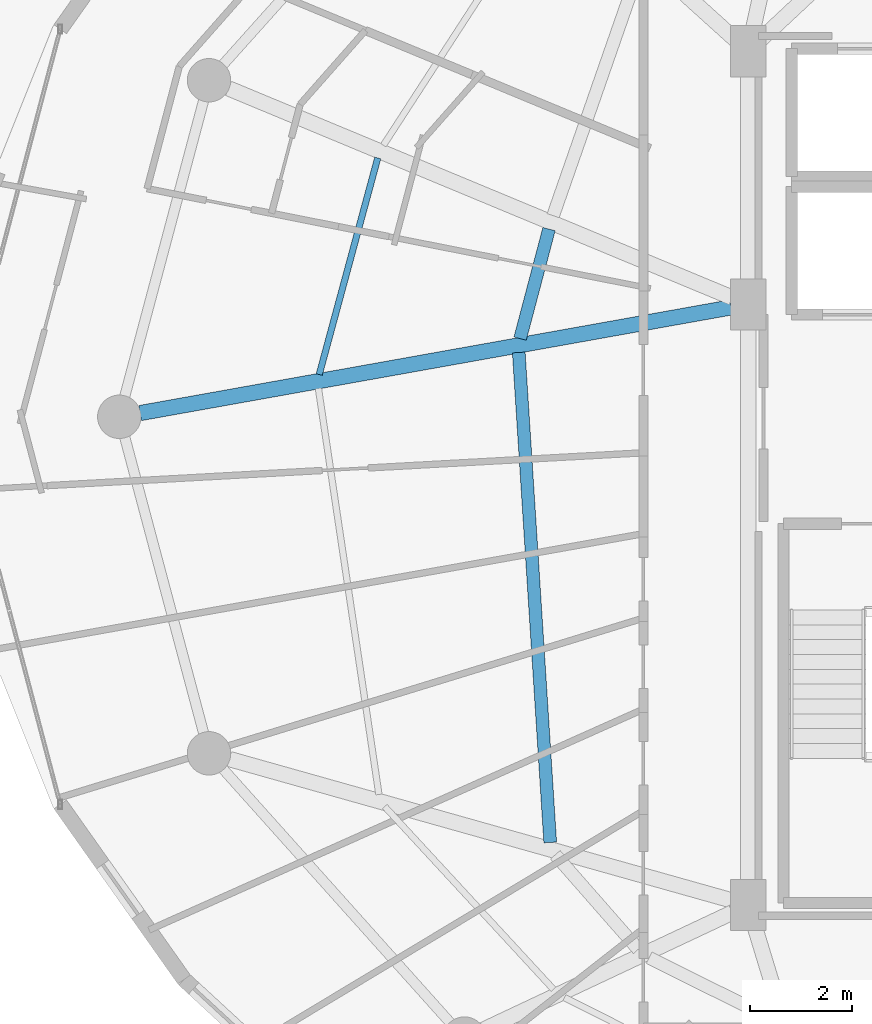
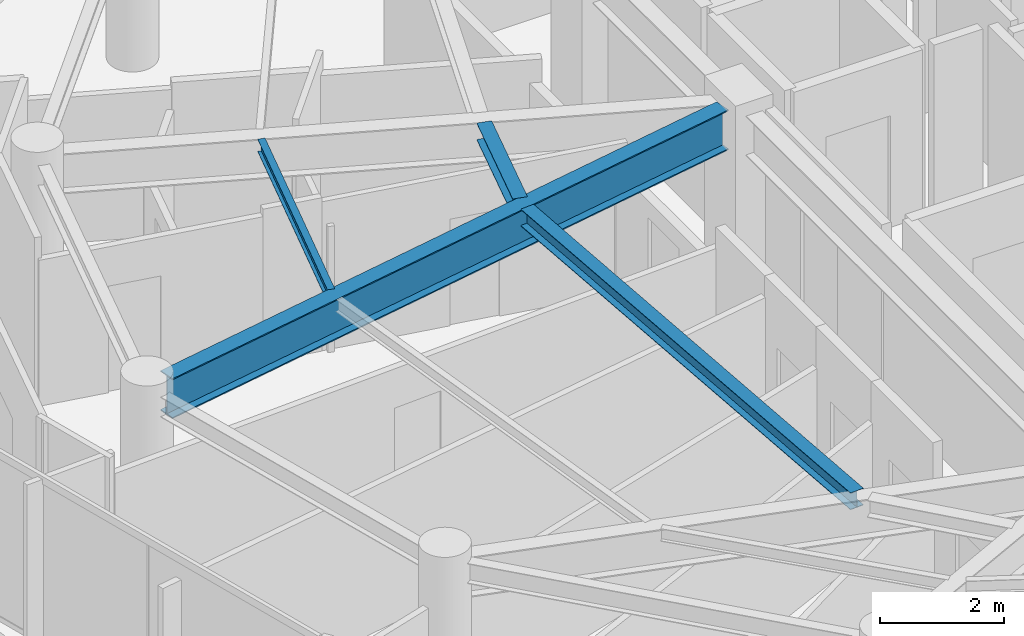
# One storey, part 7 of 30: 4 beams.
"""IFC4 building model written with IfcOpenShell, lengths in metres."""

from ifc_helpers import new_model, si_unit, direction, frame, origin, origin_2d, place, context, subcontext, project, spatial, i_section, extrude, material, material_profile, profile_set, type_object, element, save


model = new_model("IFC4")

# Units and contexts
model_context = context("Model", 3, precision=1e-05, world=origin(), true_north=direction((0.0, 1.0)))
body_context = subcontext(model_context, "Body", "Model", "MODEL_VIEW")
ifc_project = project(units=[si_unit("LENGTHUNIT", "METRE"), si_unit("AREAUNIT", "SQUARE_METRE"), si_unit("VOLUMEUNIT", "CUBIC_METRE"), si_unit("PLANEANGLEUNIT", "RADIAN"), si_unit("MASSUNIT", "GRAM", prefix="KILO")], contexts=[model_context])

# Site, building, storey
site_placement = place(None, origin())
site = spatial("IfcSite", under=ifc_project, at=site_placement, CompositionType="ELEMENT")
building_placement = place(site_placement, origin())
building = spatial("IfcBuilding", under=site, at=building_placement, Name="Vorneva Point Tower", CompositionType="ELEMENT")
storey_placement = place(building_placement, frame((0.0, 0.0, 262.64990234375)))
storey = spatial("IfcBuildingStorey", under=building, at=storey_placement, Name="L71", CompositionType="ELEMENT", Elevation=262.64990234375)

# Beams
ifc_material = material(Name="Steel S355", Category="steel")
ifc_material_profile_1 = material_profile(ifc_material, i_section(OverallWidth=0.300048828125, OverallDepth=0.7880859375, WebThickness=0.014404296875, FlangeThickness=0.02197265625, at=origin_2d()), Name="80Sh1")
ifc_profile_set_1 = profile_set([ifc_material_profile_1], Name="Steel S355")
beam_type_1 = type_object("IfcBeamType", Name="BM-GRD-80Sh1", PredefinedType="USERDEFINED", material=ifc_profile_set_1)
beam_1_placement = place(storey_placement, frame((15.3564453125, 26.07275390625, 2.89599609375), z_axis=(0.9843788355, 0.17606336422, 0.0), x_axis=(-0.17606336422, 0.9843788355, 0.0)))
element("IfcBeam", 1, at=beam_1_placement, inside=storey, type_object=beam_type_1, Name="L71 Radial Primary Girder 09", ObjectType="GIRDER", PredefinedType="USERDEFINED", context=body_context, shape_type="SweptSolid", body=[
    extrude(i_section(OverallWidth=0.300048828125, OverallDepth=0.7880859375, WebThickness=0.014404296875, FlangeThickness=0.02197265625, at=origin_2d()), origin(), (0.0, 0.0, 1.0), 11.7421875),
])
ifc_material_profile_2 = material_profile(ifc_material, i_section(OverallWidth=0.1240234375, OverallDepth=0.248046875, WebThickness=0.0048828125, FlangeThickness=0.008056640625, at=origin_2d()), Name="25B1")
ifc_profile_set_2 = profile_set([ifc_material_profile_2], Name="Steel S355")
beam_type_2 = type_object("IfcBeamType", Name="BM-JST-25B1", PredefinedType="JOIST", material=ifc_profile_set_2)
beam_2_placement = place(storey_placement, frame((20.0048828125, 31.0625, 3.166015625), z_axis=(-0.260871190305, -0.965373617865, 0.0), x_axis=(0.965373617865, -0.260871190305, 0.0)))
element("IfcBeam", 2, at=beam_2_placement, inside=storey, type_object=beam_type_2, Name="L71 Secondary Floor Beam 1.08", PredefinedType="JOIST", context=body_context, shape_type="SweptSolid", body=[
    extrude(i_section(OverallWidth=0.1240234375, OverallDepth=0.248046875, WebThickness=0.0048828125, FlangeThickness=0.008056640625, at=origin_2d()), origin(), (0.0, 0.0, 1.0), 4.38818359375),
])
ifc_material_profile_3 = material_profile(ifc_material, i_section(OverallWidth=0.2490234375, OverallDepth=0.333984375, WebThickness=0.008056640625, FlangeThickness=0.010986328125, at=origin_2d()), Name="35Sh1")
ifc_profile_set_3 = profile_set([ifc_material_profile_3], Name="Steel S355")
beam_type_3 = type_object("IfcBeamType", Name="BM-SEC-35Sh1", PredefinedType="BEAM", material=ifc_profile_set_3)
beam_3_placement = place(storey_placement, frame((23.354736328125, 29.670654296875, 3.123046875), z_axis=(-0.255301687394, -0.9668614422, 0.0), x_axis=(0.9668614422, -0.255301687394, 0.0)))
element("IfcBeam", 3, at=beam_3_placement, inside=storey, type_object=beam_type_3, Name="L71 Secondary Floor Beam 2.08", PredefinedType="BEAM", context=body_context, shape_type="SweptSolid", body=[
    extrude(i_section(OverallWidth=0.2490234375, OverallDepth=0.333984375, WebThickness=0.008056640625, FlangeThickness=0.010986328125, at=origin_2d()), origin(), (0.0, 0.0, 1.0), 2.21484375),
])
beam_4_placement = place(storey_placement, frame((22.762939453125, 27.258056640625, 3.123046875), z_axis=(0.064092343356, -0.997943972136, 0.0), x_axis=(0.997943972136, 0.064092343356, 0.0)))
element("IfcBeam", 4, at=beam_4_placement, inside=storey, type_object=beam_type_3, Name="L71 Secondary Floor Beam 2.09", PredefinedType="BEAM", context=body_context, shape_type="SweptSolid", body=[
    extrude(i_section(OverallWidth=0.2490234375, OverallDepth=0.333984375, WebThickness=0.008056640625, FlangeThickness=0.010986328125, at=origin_2d()), origin(), (0.0, 0.0, 1.0), 9.60302734375),
])

save(model, "model.ifc")
